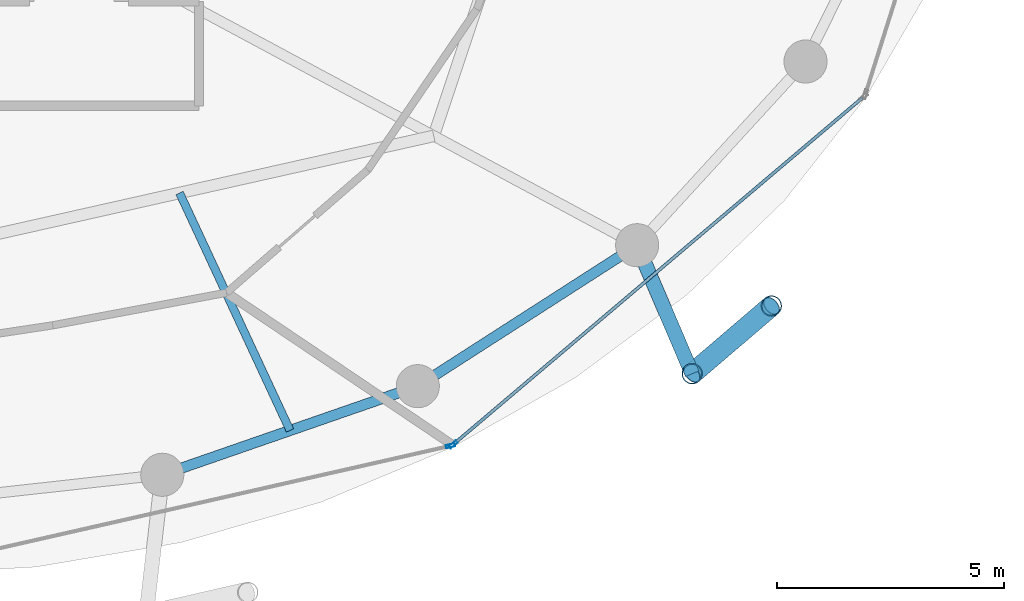
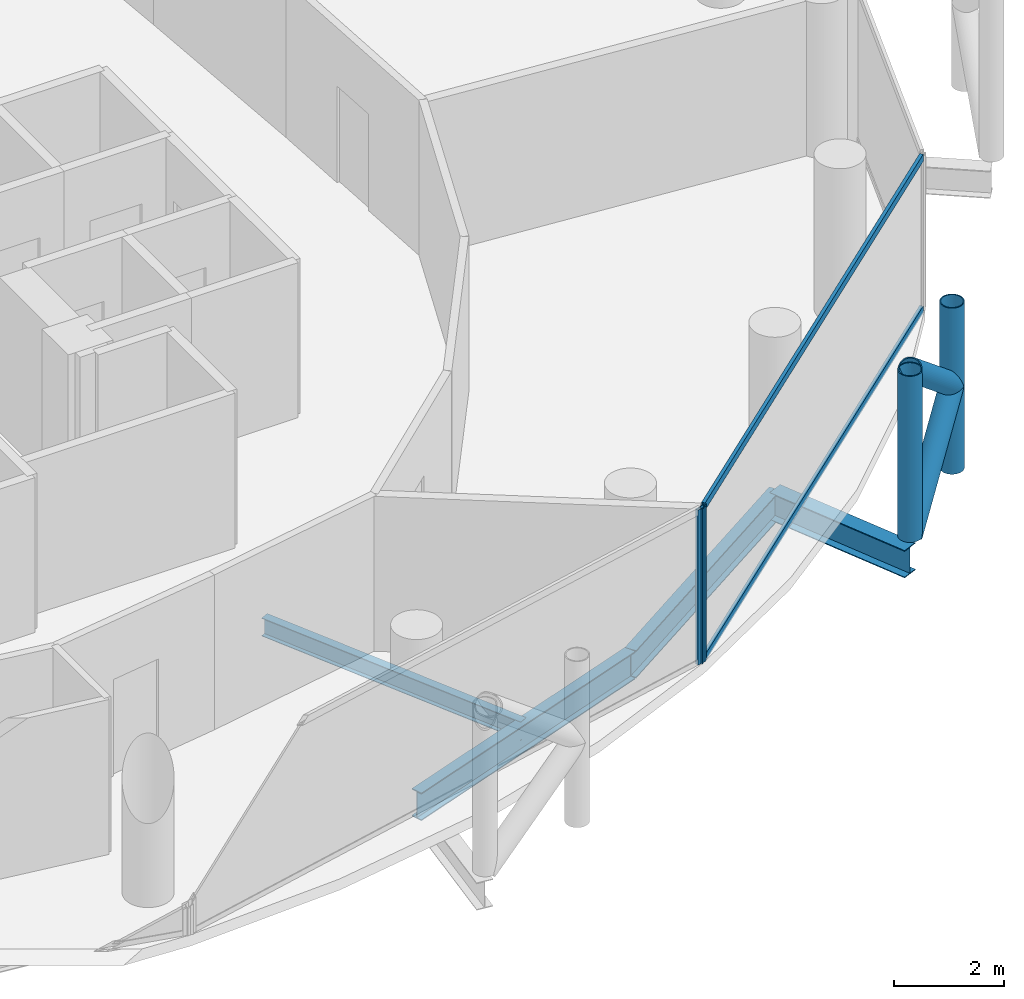
# One storey, part 8 of 26: 8 members, 4 beams, 2 elements without a shape of their own.
"""IFC4 building model written with IfcOpenShell, lengths in metres."""

from ifc_helpers import new_model, si_unit, direction, frame, origin, origin_2d, place, context, subcontext, project, spatial, hollow_rectangle, hollow_circle, i_section, extrude, material, layer, layer_set, material_profile, profile_set, type_object, element, aggregate, save


model = new_model("IFC4")

# Units and contexts
model_context = context("Model", 3, precision=1e-05, world=origin(), true_north=direction((0.0, 1.0)))
body_context = subcontext(model_context, "Body", "Model", "MODEL_VIEW")
ifc_project = project(units=[si_unit("LENGTHUNIT", "METRE"), si_unit("AREAUNIT", "SQUARE_METRE"), si_unit("VOLUMEUNIT", "CUBIC_METRE"), si_unit("PLANEANGLEUNIT", "RADIAN"), si_unit("MASSUNIT", "GRAM", prefix="KILO")], contexts=[model_context])

# Site, building, storey
site_placement = place(None, origin())
site = spatial("IfcSite", under=ifc_project, at=site_placement, CompositionType="ELEMENT")
building_placement = place(site_placement, origin())
building = spatial("IfcBuilding", under=site, at=building_placement, Name="Nuhasar Tower", CompositionType="ELEMENT")
storey_placement = place(building_placement, frame((0.0, 0.0, 166.35009765625)))
storey = spatial("IfcBuildingStorey", under=building, at=storey_placement, Name="L40", CompositionType="ELEMENT", Elevation=166.35009765625)

# Beams
ifc_material_1 = material(Name="Steel S355", Category="steel")
ifc_material_profile_1 = material_profile(ifc_material_1, i_section(OverallWidth=0.177978515625, OverallDepth=0.406005859375, WebThickness=0.0078125, FlangeThickness=0.0126953125, at=origin_2d()), Name="W16X40")
ifc_profile_set_1 = profile_set([ifc_material_profile_1], Name="Steel S355")
beam_type_1 = type_object("IfcBeamType", Name="BM-JST-W16X40", PredefinedType="JOIST", material=ifc_profile_set_1)
beam_1_placement = place(storey_placement, frame((45.424072265625, 14.1279296875, -0.453125), z_axis=(0.421729941201, -0.906721487941, 0.0), x_axis=(0.906721487941, 0.421729941201, 0.0)))
element("IfcBeam", 1, at=beam_1_placement, inside=storey, type_object=beam_type_1, Name="L40 Secondary Floor Joist 02", PredefinedType="JOIST", context=body_context, shape_type="SweptSolid", body=[
    extrude(i_section(OverallWidth=0.177978515625, OverallDepth=0.406005859375, WebThickness=0.0078125, FlangeThickness=0.0126953125, at=origin_2d()), origin(), (0.0, 0.0, 1.0), 5.7734375),
])
ifc_material_profile_2 = material_profile(ifc_material_1, i_section(OverallWidth=0.22998046875, OverallDepth=0.616943359375, WebThickness=0.01318359375, FlangeThickness=0.022216796875, at=origin_2d()), Name="W24X94")
ifc_profile_set_2 = profile_set([ifc_material_profile_2], Name="Steel S355")
beam_type_2 = type_object("IfcBeamType", Name="BM-RING-W24X94", PredefinedType="SPANDREL", material=ifc_profile_set_2)
beam_2_placement = place(storey_placement, frame((45.04296875, 7.916015625, -0.55908203125), z_axis=(0.944814057608, 0.327607076458, 0.0), x_axis=(-0.327607076458, 0.944814057608, 0.0)))
element("IfcBeam", 2, at=beam_2_placement, inside=storey, type_object=beam_type_2, Name="L40 Perimeter Ring Spandrel 20", PredefinedType="SPANDREL", context=body_context, shape_type="SweptSolid", body=[
    extrude(i_section(OverallWidth=0.22998046875, OverallDepth=0.616943359375, WebThickness=0.01318359375, FlangeThickness=0.022216796875, at=origin_2d()), origin(), (0.0, 0.0, 1.0), 5.9609375),
])
beam_3_placement = place(storey_placement, frame((50.675048828125, 9.868896484375, -0.55908203125), z_axis=(0.841308170616, 0.540555789955, 0.0), x_axis=(-0.540555789955, 0.841308170616, 0.0)))
element("IfcBeam", 3, at=beam_3_placement, inside=storey, type_object=beam_type_2, Name="L40 Perimeter Ring Spandrel 21", PredefinedType="SPANDREL", context=body_context, shape_type="SweptSolid", body=[
    extrude(i_section(OverallWidth=0.22998046875, OverallDepth=0.616943359375, WebThickness=0.01318359375, FlangeThickness=0.022216796875, at=origin_2d()), origin(), (0.0, 0.0, 1.0), 5.748046875),
])
ifc_material_profile_3 = material_profile(ifc_material_1, i_section(OverallWidth=0.323974609375, OverallDepth=0.611083984375, WebThickness=0.0126953125, FlangeThickness=0.01904296875, at=origin_2d()), Name="W24X104")
ifc_profile_set_3 = profile_set([ifc_material_profile_3], Name="Steel S355")
beam_type_3 = type_object("IfcBeamType", Name="BM-TIE-W24X104", PredefinedType="BEAM", material=ifc_profile_set_3)
beam_4_placement = place(storey_placement, frame((55.510986328125, 12.97607421875, -0.55615234375), z_axis=(0.39330721304, -0.919407111225, 0.0), x_axis=(0.919407111225, 0.39330721304, 0.0)))
element("IfcBeam", 4, at=beam_4_placement, inside=storey, type_object=beam_type_3, Name="L40 Exoskeleton Node Tie Beam 11", PredefinedType="BEAM", context=body_context, shape_type="SweptSolid", body=[
    extrude(i_section(OverallWidth=0.323974609375, OverallDepth=0.611083984375, WebThickness=0.0126953125, FlangeThickness=0.01904296875, at=origin_2d()), origin(), (0.0, 0.0, 1.0), 3.081298828125),
])

# Curtain wall, member
ifc_material_2 = material(Name="Aluminium 6063-T6", Category="aluminium")
ifc_layer = layer(ifc_material_2, 0.199951171875)
ifc_layer_set = layer_set([ifc_layer], Name="Aluminium 6063-T6")
curtain_wall_type = type_object("IfcCurtainWallType", Name="CW-Z2-HTL", PredefinedType="NOTDEFINED", material=ifc_layer_set)
curtain_wall_1_placement = place(storey_placement, origin())
curtain_wall_1 = element("IfcCurtainWall", 5, at=curtain_wall_1_placement, inside=storey, type_object=curtain_wall_type, Name="L40 Unitised Curtain Wall 10", PredefinedType="NOTDEFINED")
ifc_material_profile_4 = material_profile(ifc_material_2, hollow_rectangle(XDim=0.070068359375, YDim=0.199951171875, WallThickness=0.0048828125, at=origin_2d()), Name="CWM-3")
ifc_profile_set_4 = profile_set([ifc_material_profile_4], Name="Aluminium 6063-T6")
member_type_1 = type_object("IfcMemberType", Name="CW-MUL-S3", PredefinedType="MULLION", material=ifc_profile_set_4)
member_1_placement = place(storey_placement, frame((51.395751953125, 8.55419921875, 0.0), z_axis=(0.0, 0.0, 1.0), x_axis=(-0.22139729566, 0.975183694221, 0.0)))
member_1 = element("IfcMember", 6, at=member_1_placement, type_object=member_type_1, Name="CW-Z2 mullion 2", PredefinedType="MULLION", context=body_context, shape_type="SweptSolid", body=[
    extrude(hollow_rectangle(XDim=0.070068359375, YDim=0.199951171875, WallThickness=0.0048828125, at=origin_2d()), origin(), (0.0, 0.0, 1.0), 3.449951171875),
])
aggregate(curtain_wall_1, [member_1])

# Curtain wall, members
curtain_wall_2_placement = place(storey_placement, origin())
curtain_wall_2 = element("IfcCurtainWall", 7, at=curtain_wall_2_placement, inside=storey, type_object=curtain_wall_type, Name="L40 Unitised Curtain Wall 11", PredefinedType="NOTDEFINED")
member_2_placement = place(storey_placement, frame((51.456787109375, 8.584716796875, 0.0), z_axis=(0.0, 0.0, 1.0), x_axis=(-0.646374438324, 0.763020370292, 0.0)))
member_2 = element("IfcMember", 8, at=member_2_placement, type_object=member_type_1, Name="CW-Z2 mullion 1", PredefinedType="MULLION", context=body_context, shape_type="SweptSolid", body=[
    extrude(hollow_rectangle(XDim=0.070068359375, YDim=0.199951171875, WallThickness=0.0048828125, at=origin_2d()), origin(), (0.0, 0.0, 1.0), 3.449951171875),
])
ifc_material_profile_5 = material_profile(ifc_material_2, hollow_rectangle(XDim=0.070068359375, YDim=0.159912109375, WallThickness=0.00439453125, at=origin_2d()), Name="CWT-3")
ifc_profile_set_5 = profile_set([ifc_material_profile_5], Name="Aluminium 6063-T6")
member_type_2 = type_object("IfcMemberType", Name="CW-TRN-S3", PredefinedType="USERDEFINED", material=ifc_profile_set_5)
member_3_placement = place(storey_placement, frame((51.4833984375, 8.607177734375, 0.034912109375), z_axis=(0.763013698099, 0.646382314511, 0.0), x_axis=(-0.646382314511, 0.763013698099, 0.0)))
member_3 = element("IfcMember", 9, at=member_3_placement, type_object=member_type_2, Name="CW-Z2 transom 1.1", ObjectType="TRANSOM", PredefinedType="USERDEFINED", context=body_context, shape_type="SweptSolid", body=[
    extrude(hollow_rectangle(XDim=0.070068359375, YDim=0.159912109375, WallThickness=0.00439453125, at=origin_2d()), origin(), (0.0, 0.0, 1.0), 11.78515625),
])
member_4_placement = place(storey_placement, frame((51.4833984375, 8.607177734375, 3.414794921875), z_axis=(0.763013698099, 0.646382314511, 0.0), x_axis=(-0.646382314511, 0.763013698099, 0.0)))
member_4 = element("IfcMember", 10, at=member_4_placement, type_object=member_type_2, Name="CW-Z2 transom 1.2", ObjectType="TRANSOM", PredefinedType="USERDEFINED", context=body_context, shape_type="SweptSolid", body=[
    extrude(hollow_rectangle(XDim=0.070068359375, YDim=0.159912109375, WallThickness=0.00439453125, at=origin_2d()), origin(), (0.0, 0.0, 1.0), 11.78515625),
])
aggregate(curtain_wall_2, [member_2, member_3, member_4])

# Members
ifc_material_3 = material(Name="Steel S460", Category="steel")
ifc_material_profile_6 = material_profile(ifc_material_3, hollow_circle(Radius=0.228515625, WallThickness=0.022216796875, at=origin_2d()), Name="HSS457X22.2")
ifc_profile_set_6 = profile_set([ifc_material_profile_6], Name="Steel S460")
member_type_3 = type_object("IfcMemberType", Name="EXO-BRONZE-457", PredefinedType="BRACE", material=ifc_profile_set_6)
for number, where, z_axis, x_axis, name in (
    (11, (56.722900390625, 10.14306640625, 0.0), (0.0, 0.0, 1.0), (1.0, 0.0, 0.0), "L40 Exoskeleton Chord Column EC-11A"),
    (12, (58.470947265625, 11.637939453125, 0.0), (0.0, 0.0, 1.0), (1.0, 0.0, 0.0), "L40 Exoskeleton Chord Column EC-11B"),
):
    element("IfcMember", number, at=place(storey_placement, frame(where, z_axis=z_axis, x_axis=x_axis)), inside=storey, type_object=member_type_3, Name=name, PredefinedType="BRACE", context=body_context, shape_type="SweptSolid", body=[
        extrude(hollow_circle(Radius=0.228515625, WallThickness=0.022216796875, at=origin_2d()), origin(), (0.0, 0.0, 1.0), 3.699951171875),
    ])
member_5_placement = place(storey_placement, frame((56.722900390625, 10.14306640625, 0.0), z_axis=(0.592225874743, 0.506452378638, 0.626717242029), x_axis=(-0.649925557156, 0.7599978751, 0.0)))
element("IfcMember", 13, at=member_5_placement, inside=storey, type_object=member_type_3, Name="L40 Bronze Diagrid Brace W1-11", PredefinedType="BRACE", context=body_context, shape_type="SweptSolid", body=[
    extrude(hollow_circle(Radius=0.228515625, WallThickness=0.022216796875, at=origin_2d()), origin(), (0.0, 0.0, 1.0), 2.95166015625),
])
member_6_placement = place(storey_placement, frame((58.470947265625, 11.637939453125, 1.849853515625), z_axis=(-0.592195175458, -0.506426125604, 0.626767463634), x_axis=(0.649925557156, -0.7599978751, 0.0)))
element("IfcMember", 14, at=member_6_placement, inside=storey, type_object=member_type_3, Name="L40 Bronze Diagrid Brace W2-11", PredefinedType="BRACE", context=body_context, shape_type="SweptSolid", body=[
    extrude(hollow_circle(Radius=0.228515625, WallThickness=0.022216796875, at=origin_2d()), origin(), (0.0, 0.0, 1.0), 2.951904296875),
])

save(model, "model.ifc")
